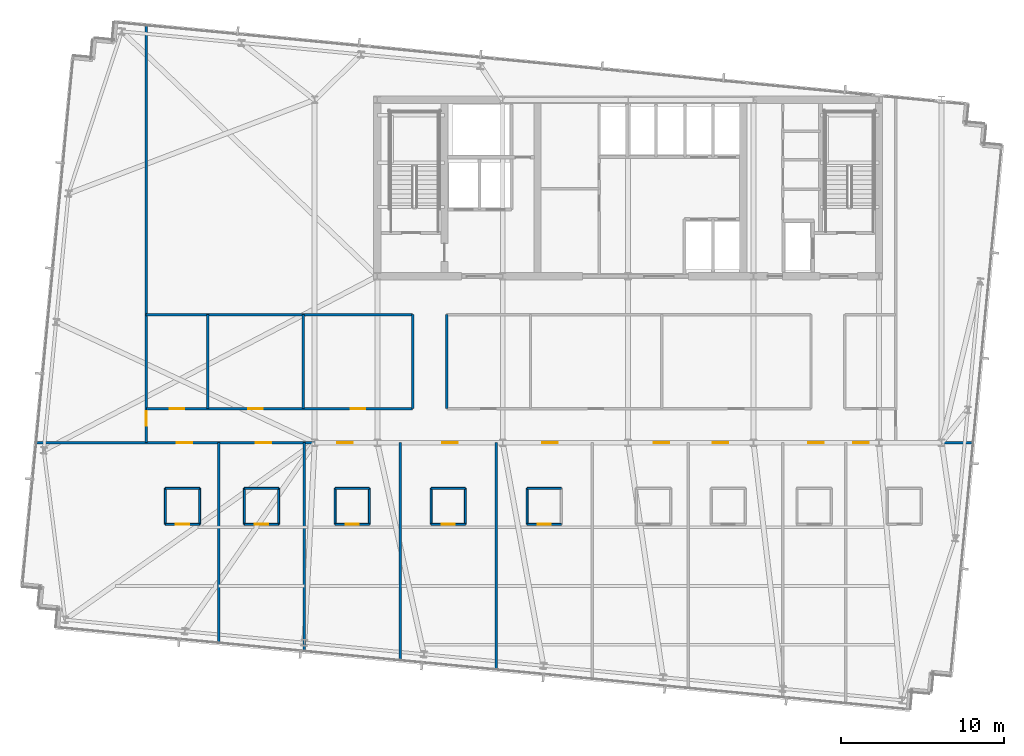
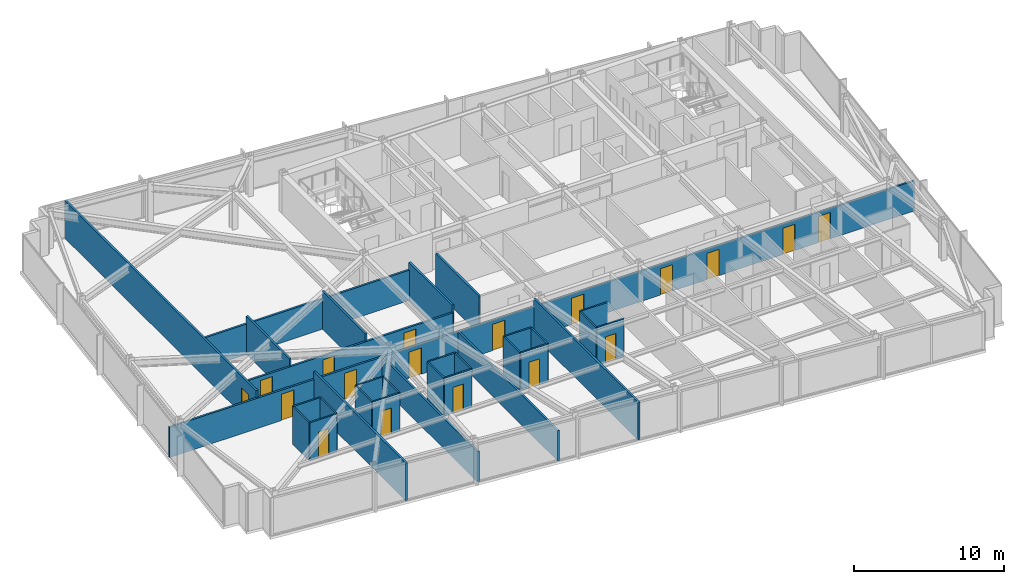
# One storey, part 29 of 37: 31 walls, 18 doors, 18 openings.
"""IFC4 building model written with IfcOpenShell, lengths in metres."""

import ifcopenshell
import ifcopenshell.guid

model = None  # the IFC model being written
_history = None  # IfcOwnerHistory: only IFC2X3 demands one
_inside = {}  # id of a spatial element -> (the spatial element, [elements in it])
_under = {}  # id of a project, library or spatial element -> (it, [spatial elements below it])
_declared = {}  # id of a project -> (the project, [libraries it declares])
_typed = {}  # id of a type object -> (the type object, [elements of that type])
_made_of = {}  # id of a material, layer set ... -> (it, [elements and type objects made of it])


def new_model(schema):
    """Start an empty IFC model of exactly this schema.

    Asked for "IFC4X3", IfcOpenShell would pick the latest addendum, in which some entities
    have other attributes; the version numbers below select the first issue.
    IFC2X3 requires an IfcOwnerHistory on every rooted entity: one is made here for all.
    """
    global model, _history
    if schema == "IFC4X3":
        model = ifcopenshell.file(schema_version=(4, 3, 0, 0))
    else:
        model = ifcopenshell.file(schema=schema)
    _inside.clear()
    _under.clear()
    _declared.clear()
    _typed.clear()
    _made_of.clear()
    _history = None
    if model.schema == "IFC2X3":
        org = make("IfcOrganization", Name="unknown")
        user = make(
            "IfcPersonAndOrganization",
            ThePerson=make("IfcPerson", FamilyName="unknown"),
            TheOrganization=org,
        )
        app = make(
            "IfcApplication",
            ApplicationDeveloper=org,
            Version="unknown",
            ApplicationFullName="unknown",
            ApplicationIdentifier="unknown",
        )
        _history = make(
            "IfcOwnerHistory",
            OwningUser=user,
            OwningApplication=app,
            ChangeAction="ADDED",
            CreationDate=0,
        )
    return model


def make(cls, **values):
    """One entity of the class cls with the attributes given. An attribute that is None is left unset."""
    return model.create_entity(
        cls, **{name: value for name, value in values.items() if value is not None}
    )


def rooted(cls, **values):
    """An entity with a GlobalId (a new one), such as an element, a storey or a relation."""
    return make(cls, GlobalId=ifcopenshell.guid.new(), OwnerHistory=_history, **values)


def si_unit(unit_type, name, prefix=None):
    """IfcSIUnit, for example si_unit("LENGTHUNIT", "METRE", prefix="MILLI")."""
    return make("IfcSIUnit", UnitType=unit_type, Prefix=prefix, Name=name)


def assignment(units):
    """IfcUnitAssignment: the units of a project."""
    return None if units is None else make("IfcUnitAssignment", Units=units)


def point(xyz):
    """IfcCartesianPoint."""
    return None if xyz is None else make("IfcCartesianPoint", Coordinates=xyz)


def direction(xyz):
    """IfcDirection."""
    return None if xyz is None else make("IfcDirection", DirectionRatios=xyz)


def frame(location, z_axis=None, x_axis=None):
    """IfcAxis2Placement3D, a coordinate frame: its origin and axes. An axis left out is left unset."""
    return make(
        "IfcAxis2Placement3D",
        Location=point(location),
        Axis=direction(z_axis),
        RefDirection=direction(x_axis),
    )


def frame_2d(location, x_axis=None):
    """IfcAxis2Placement2D, a coordinate frame in the plane: its origin and x axis."""
    return make(
        "IfcAxis2Placement2D", Location=point(location), RefDirection=direction(x_axis)
    )


def origin():
    """The frame at (0, 0, 0) with its axes left unset."""
    return frame((0.0, 0.0, 0.0))


def place(relative_to, where):
    """IfcLocalPlacement: puts the frame where relative to a parent placement (None: the world)."""
    return make(
        "IfcLocalPlacement", PlacementRelTo=relative_to, RelativePlacement=where
    )


def context(
    kind, dimensions, precision=None, world=None, true_north=None, identifier=None
):
    """IfcGeometricRepresentationContext, for example the 3D "Model" context."""
    return make(
        "IfcGeometricRepresentationContext",
        ContextIdentifier=identifier,
        ContextType=kind,
        CoordinateSpaceDimension=dimensions,
        Precision=precision,
        WorldCoordinateSystem=world,
        TrueNorth=true_north,
    )


def subcontext(parent, identifier, kind, view, scale=None):
    """IfcGeometricRepresentationSubContext, for example "Body" below "Model"."""
    return make(
        "IfcGeometricRepresentationSubContext",
        ContextIdentifier=identifier,
        ContextType=kind,
        ParentContext=parent,
        TargetScale=scale,
        TargetView=view,
    )


def project(units=None, contexts=None):
    """IfcProject with its units and contexts."""
    return rooted(
        "IfcProject",
        Name="project",
        RepresentationContexts=contexts,
        UnitsInContext=assignment(units),
    )


def spatial(cls, under=None, at=None, **own):
    """A site, building, storey or space (cls), placed at a placement, below another one or the project."""
    s = rooted(cls, ObjectPlacement=at, **own)
    if under is not None:
        _under.setdefault(under.id(), (under, []))[1].append(s)
    return s


def profile(cls, at=None, kind="AREA", **sizes):
    """A parametric profile (cls). Its sizes go by their IFC names, for example OverallWidth=200.0."""
    return make(cls, ProfileType=kind, Position=at, **sizes)


def rectangle(**sizes):
    """IfcRectangleProfileDef."""
    return profile("IfcRectangleProfileDef", **sizes)


def extrude(swept, where, along, depth):
    """IfcExtrudedAreaSolid: the profile swept, set in the frame where, extruded along a direction by depth."""
    return make(
        "IfcExtrudedAreaSolid",
        SweptArea=swept,
        Position=where,
        ExtrudedDirection=direction(along),
        Depth=depth,
    )


def shape(context_of_items, identifier, shape_type, items):
    """IfcShapeRepresentation: the items that make up one representation, for example the "Body"."""
    return make(
        "IfcShapeRepresentation",
        ContextOfItems=context_of_items,
        RepresentationIdentifier=identifier,
        RepresentationType=shape_type,
        Items=items,
    )


def material(Name=None, Category=None):
    """IfcMaterial."""
    return make("IfcMaterial", Name=Name, Category=Category)


def layer(
    of_material, thickness, ventilated=None, Name=None, Category=None, Priority=None
):
    """IfcMaterialLayer: one layer of a wall or slab, of a material (None: an air gap)."""
    return make(
        "IfcMaterialLayer",
        Material=of_material,
        LayerThickness=thickness,
        IsVentilated=ventilated,
        Name=Name,
        Category=Category,
        Priority=Priority,
    )


def layer_set(layers, Name=None):
    """IfcMaterialLayerSet."""
    return make("IfcMaterialLayerSet", MaterialLayers=layers, LayerSetName=Name)


def made_of(thing, what):
    """Note that an element or type object is made of a material, layer set ...; save() writes the relation."""
    if what is not None:
        _made_of.setdefault(what.id(), (what, []))[1].append(thing)
    return thing


def type_object(cls, material=None, **own):
    """A type object (cls), such as IfcWallType, which elements share."""
    return made_of(rooted(cls, **own), material)


def element(
    cls,
    number,
    at=None,
    inside=None,
    cuts=None,
    type_object=None,
    material=None,
    context=None,
    identifier="Body",
    shape_type=None,
    held_by="IfcProductDefinitionShape",
    body=None,
    shapes=None,
    **own,
):
    """One element of the class cls, such as IfcWall. Its Tag is "e" and its number.

    at: its placement. inside: the storey or other place that contains it. cuts: it is an
    opening in that element (IfcRelVoidsElement). A single representation is given by context,
    identifier, shape_type and body (its items); several are given by shapes. held_by: the class
    of the entity that holds the representations. save() writes the other relations.
    """
    e = rooted(cls, Tag="e%d" % number, ObjectPlacement=at, **own)
    if body is not None:
        shapes = [shape(context, identifier, shape_type, body)]
    if shapes is not None:
        e.Representation = make(held_by, Representations=shapes)
    if inside is not None:
        _inside.setdefault(inside.id(), (inside, []))[1].append(e)
    if cuts is not None:
        rooted(
            "IfcRelVoidsElement", RelatingBuildingElement=cuts, RelatedOpeningElement=e
        )
    if type_object is not None:
        _typed.setdefault(type_object.id(), (type_object, []))[1].append(e)
    return made_of(e, material)


def fill(opening, filler):
    """IfcRelFillsElement: the door or window that sits in an opening."""
    return rooted(
        "IfcRelFillsElement",
        RelatingOpeningElement=opening,
        RelatedBuildingElement=filler,
    )


def aggregate(whole, parts):
    """IfcRelAggregates: a whole, such as a stair, and the parts it consists of."""
    return rooted("IfcRelAggregates", RelatingObject=whole, RelatedObjects=parts)


def save(model, path):
    """Write the relations noted so far, then the file.

    IfcRelAggregates (storeys below a building ...), IfcRelContainedInSpatialStructure (elements
    in a storey), IfcRelDefinesByType, IfcRelAssociatesMaterial and IfcRelDeclares: one each for
    every whole, place, type object, material and project.
    """
    for whole, parts in _under.values():
        aggregate(whole, parts)
    for where, things in _inside.values():
        rooted(
            "IfcRelContainedInSpatialStructure",
            RelatedElements=things,
            RelatingStructure=where,
        )
    for kind, things in _typed.values():
        rooted("IfcRelDefinesByType", RelatedObjects=things, RelatingType=kind)
    for what, things in _made_of.values():
        rooted("IfcRelAssociatesMaterial", RelatedObjects=things, RelatingMaterial=what)
    for by, libraries in _declared.values():
        rooted("IfcRelDeclares", RelatingContext=by, RelatedDefinitions=libraries)
    model.write(path)


model = new_model("IFC4")

# Units and contexts
model_context = context("Model", 3, precision=1e-05, world=origin(), true_north=direction((0.0, 1.0)))
body_context = subcontext(model_context, "Body", "Model", "MODEL_VIEW")
ifc_project = project(units=[si_unit("LENGTHUNIT", "METRE"), si_unit("AREAUNIT", "SQUARE_METRE"), si_unit("VOLUMEUNIT", "CUBIC_METRE"), si_unit("PLANEANGLEUNIT", "RADIAN"), si_unit("MASSUNIT", "GRAM", prefix="KILO")], contexts=[model_context])

# Site, building, storey
site_placement = place(None, origin())
site = spatial("IfcSite", under=ifc_project, at=site_placement, CompositionType="ELEMENT")
building_placement = place(site_placement, origin())
building = spatial("IfcBuilding", under=site, at=building_placement, Name="Yelkora Congress Tower", CompositionType="ELEMENT")
storey_placement = place(building_placement, frame((0.0, 0.0, 158.89990234375)))
storey = spatial("IfcBuildingStorey", under=building, at=storey_placement, Name="L43", CompositionType="ELEMENT", Elevation=158.89990234375)

# Walls
ifc_material_1 = material(Name="Moisture-resistant gypsum partition", Category="gypsum")
ifc_layer_1 = layer(ifc_material_1, 0.1201171875)
ifc_layer_set_1 = layer_set([ifc_layer_1], Name="Moisture-resistant gypsum partition")
wall_type_1 = type_object("IfcWallType", Name="WALL-INT-120-NR", PredefinedType="PARTITIONING", material=ifc_layer_set_1)
wall_1_placement = place(storey_placement, frame((10.052001953125, 22.39990234375, 0.0), z_axis=(0.0, 0.0, 1.0), x_axis=(1.0, 0.0, 0.0)))
element("IfcWall", 1, at=wall_1_placement, inside=storey, type_object=wall_type_1, Name="L43 Partition Wall 28", PredefinedType="PARTITIONING", context=body_context, shape_type="SweptSolid", body=[
    extrude(rectangle(XDim=2.10009765625, YDim=0.1201171875, at=frame_2d((1.050048828125, 0.0))), origin(), (0.0, 0.0, 1.0), 3.080078125),
])
for number, where, z_axis, x_axis, name in (
    (2, (10.052001953125, 20.199951171875, 0.0), (0.0, 0.0, 1.0), (0.0, 1.0, 0.0), "L43 Partition Wall 29"),
    (3, (12.152099609375, 20.199951171875, 0.0), (0.0, 0.0, 1.0), (0.0, 1.0, 0.0), "L43 Partition Wall 30"),
):
    element("IfcWall", number, at=place(storey_placement, frame(where, z_axis=z_axis, x_axis=x_axis)), inside=storey, type_object=wall_type_1, Name=name, PredefinedType="PARTITIONING", context=body_context, shape_type="SweptSolid", body=[
        extrude(rectangle(XDim=2.199951171875, YDim=0.1201171875, at=frame_2d((1.10009765625, 0.0))), origin(), (0.0, 0.0, 1.0), 3.080078125),
    ])

# Wall, opening, door
wall_2_placement = place(storey_placement, frame((10.052001953125, 20.199951171875, 0.0), z_axis=(0.0, 0.0, 1.0), x_axis=(1.0, 0.0, 0.0)))
wall_2 = element("IfcWall", 4, at=wall_2_placement, inside=storey, type_object=wall_type_1, Name="L43 Partition Wall 31", PredefinedType="PARTITIONING", context=body_context, shape_type="SweptSolid", body=[
    extrude(rectangle(XDim=2.10009765625, YDim=0.1201171875, at=frame_2d((1.050048828125, 0.0))), origin(), (0.0, 0.0, 1.0), 3.080078125),
])
opening_1_placement = place(wall_2_placement, frame((0.64990234375, 0.0, 0.0)))
opening_1 = element("IfcOpeningElement", 5, at=opening_1_placement, cuts=wall_2, Name="Opening DR-080B", PredefinedType="OPENING", context=body_context, shape_type="SweptSolid", body=[
    extrude(rectangle(XDim=0.800048828125, YDim=2.10009765625, at=frame_2d((0.39990234375, 1.050048828125))), frame((0.0, 0.070068359375, 0.0), z_axis=(0.0, -1.0, 0.0), x_axis=(1.0, 0.0, 0.0)), (0.0, 0.0, 1.0), 0.14013671875),
])
ifc_material_2 = material(Name="Moisture-sealed en-suite timber door", Category="wood")
door_type_1 = type_object("IfcDoorType", Name="DOOR-BATH-800", OperationType="NOTDEFINED", PredefinedType="DOOR", material=ifc_material_2)
door_1_placement = place(opening_1_placement, origin())
door_1 = element("IfcDoor", 6, at=door_1_placement, inside=storey, type_object=door_type_1, Name="L43 En-suite Door 1", OperationType="SINGLE_SWING_RIGHT", OverallHeight=2.10009765625, OverallWidth=0.800048828125, PredefinedType="DOOR", context=body_context, shape_type="SweptSolid", body=[
    extrude(rectangle(XDim=0.800048828125, YDim=2.10009765625, at=frame_2d((0.39990234375, 1.050048828125))), frame((0.0, 0.02490234375, 0.0), z_axis=(0.0, -1.0, 0.0), x_axis=(1.0, 0.0, 0.0)), (0.0, 0.0, 1.0), 0.050048828125),
])
fill(opening_1, door_1)

# Walls
wall_3_placement = place(storey_placement, frame((14.89404296875, 22.39990234375, 0.0), z_axis=(0.0, 0.0, 1.0), x_axis=(1.0, 0.0, 0.0)))
element("IfcWall", 7, at=wall_3_placement, inside=storey, type_object=wall_type_1, Name="L43 Partition Wall 32", PredefinedType="PARTITIONING", context=body_context, shape_type="SweptSolid", body=[
    extrude(rectangle(XDim=2.099853515625, YDim=0.1201171875, at=frame_2d((1.0498046875, 0.0))), origin(), (0.0, 0.0, 1.0), 3.080078125),
])
for number, where, z_axis, x_axis, name in (
    (8, (14.89404296875, 20.199951171875, 0.0), (0.0, 0.0, 1.0), (0.0, 1.0, 0.0), "L43 Partition Wall 33"),
    (9, (16.993896484375, 20.199951171875, 0.0), (0.0, 0.0, 1.0), (0.0, 1.0, 0.0), "L43 Partition Wall 34"),
):
    element("IfcWall", number, at=place(storey_placement, frame(where, z_axis=z_axis, x_axis=x_axis)), inside=storey, type_object=wall_type_1, Name=name, PredefinedType="PARTITIONING", context=body_context, shape_type="SweptSolid", body=[
        extrude(rectangle(XDim=2.199951171875, YDim=0.1201171875, at=frame_2d((1.10009765625, 0.0))), origin(), (0.0, 0.0, 1.0), 3.080078125),
    ])

# Wall, opening, door
wall_4_placement = place(storey_placement, frame((14.89404296875, 20.199951171875, 0.0), z_axis=(0.0, 0.0, 1.0), x_axis=(1.0, 0.0, 0.0)))
wall_4 = element("IfcWall", 10, at=wall_4_placement, inside=storey, type_object=wall_type_1, Name="L43 Partition Wall 35", PredefinedType="PARTITIONING", context=body_context, shape_type="SweptSolid", body=[
    extrude(rectangle(XDim=2.099853515625, YDim=0.1201171875, at=frame_2d((1.0498046875, 0.0))), origin(), (0.0, 0.0, 1.0), 3.080078125),
])
opening_2_placement = place(wall_4_placement, frame((0.64990234375, 0.0, 0.0)))
opening_2 = element("IfcOpeningElement", 11, at=opening_2_placement, cuts=wall_4, Name="Opening DR-080B", PredefinedType="OPENING", context=body_context, shape_type="SweptSolid", body=[
    extrude(rectangle(XDim=0.800048828125, YDim=2.10009765625, at=frame_2d((0.39990234375, 1.050048828125))), frame((0.0, 0.070068359375, 0.0), z_axis=(0.0, -1.0, 0.0), x_axis=(1.0, 0.0, 0.0)), (0.0, 0.0, 1.0), 0.14013671875),
])
door_2_placement = place(opening_2_placement, origin())
door_2 = element("IfcDoor", 12, at=door_2_placement, inside=storey, type_object=door_type_1, Name="L43 En-suite Door 2", OperationType="SINGLE_SWING_LEFT", OverallHeight=2.10009765625, OverallWidth=0.800048828125, PredefinedType="DOOR", context=body_context, shape_type="SweptSolid", body=[
    extrude(rectangle(XDim=0.800048828125, YDim=2.10009765625, at=frame_2d((0.39990234375, 1.050048828125))), frame((0.0, 0.02490234375, 0.0), z_axis=(0.0, -1.0, 0.0), x_axis=(1.0, 0.0, 0.0)), (0.0, 0.0, 1.0), 0.050048828125),
])
fill(opening_2, door_2)

# Walls
wall_5_placement = place(storey_placement, frame((20.451904296875, 22.39990234375, 0.0), z_axis=(0.0, 0.0, 1.0), x_axis=(1.0, 0.0, 0.0)))
element("IfcWall", 13, at=wall_5_placement, inside=storey, type_object=wall_type_1, Name="L43 Partition Wall 37", PredefinedType="PARTITIONING", context=body_context, shape_type="SweptSolid", body=[
    extrude(rectangle(XDim=2.10009765625, YDim=0.1201171875, at=frame_2d((1.050048828125, 0.0))), origin(), (0.0, 0.0, 1.0), 3.080078125),
])
for number, where, z_axis, x_axis, name in (
    (14, (20.451904296875, 20.199951171875, 0.0), (0.0, 0.0, 1.0), (0.0, 1.0, 0.0), "L43 Partition Wall 38"),
    (15, (22.552001953125, 20.199951171875, 0.0), (0.0, 0.0, 1.0), (0.0, 1.0, 0.0), "L43 Partition Wall 39"),
):
    element("IfcWall", number, at=place(storey_placement, frame(where, z_axis=z_axis, x_axis=x_axis)), inside=storey, type_object=wall_type_1, Name=name, PredefinedType="PARTITIONING", context=body_context, shape_type="SweptSolid", body=[
        extrude(rectangle(XDim=2.199951171875, YDim=0.1201171875, at=frame_2d((1.10009765625, 0.0))), origin(), (0.0, 0.0, 1.0), 3.080078125),
    ])

# Wall, opening, door
wall_6_placement = place(storey_placement, frame((20.451904296875, 20.199951171875, 0.0), z_axis=(0.0, 0.0, 1.0), x_axis=(1.0, 0.0, 0.0)))
wall_6 = element("IfcWall", 16, at=wall_6_placement, inside=storey, type_object=wall_type_1, Name="L43 Partition Wall 40", PredefinedType="PARTITIONING", context=body_context, shape_type="SweptSolid", body=[
    extrude(rectangle(XDim=2.10009765625, YDim=0.1201171875, at=frame_2d((1.050048828125, 0.0))), origin(), (0.0, 0.0, 1.0), 3.080078125),
])
opening_3_placement = place(wall_6_placement, frame((0.64990234375, 0.0, 0.0)))
opening_3 = element("IfcOpeningElement", 17, at=opening_3_placement, cuts=wall_6, Name="Opening DR-080B", PredefinedType="OPENING", context=body_context, shape_type="SweptSolid", body=[
    extrude(rectangle(XDim=0.800048828125, YDim=2.10009765625, at=frame_2d((0.39990234375, 1.050048828125))), frame((0.0, 0.070068359375, 0.0), z_axis=(0.0, -1.0, 0.0), x_axis=(1.0, 0.0, 0.0)), (0.0, 0.0, 1.0), 0.14013671875),
])
door_3_placement = place(opening_3_placement, origin())
door_3 = element("IfcDoor", 18, at=door_3_placement, inside=storey, type_object=door_type_1, Name="L43 En-suite Door 3", OperationType="SINGLE_SWING_RIGHT", OverallHeight=2.10009765625, OverallWidth=0.800048828125, PredefinedType="DOOR", context=body_context, shape_type="SweptSolid", body=[
    extrude(rectangle(XDim=0.800048828125, YDim=2.10009765625, at=frame_2d((0.39990234375, 1.050048828125))), frame((0.0, 0.02490234375, 0.0), z_axis=(0.0, -1.0, 0.0), x_axis=(1.0, 0.0, 0.0)), (0.0, 0.0, 1.0), 0.050048828125),
])
fill(opening_3, door_3)

# Walls
wall_7_placement = place(storey_placement, frame((26.326904296875, 22.39990234375, 0.0), z_axis=(0.0, 0.0, 1.0), x_axis=(1.0, 0.0, 0.0)))
element("IfcWall", 19, at=wall_7_placement, inside=storey, type_object=wall_type_1, Name="L43 Partition Wall 42", PredefinedType="PARTITIONING", context=body_context, shape_type="SweptSolid", body=[
    extrude(rectangle(XDim=2.10009765625, YDim=0.1201171875, at=frame_2d((1.050048828125, 0.0))), origin(), (0.0, 0.0, 1.0), 3.080078125),
])
for number, where, z_axis, x_axis, name in (
    (20, (26.326904296875, 20.199951171875, 0.0), (0.0, 0.0, 1.0), (0.0, 1.0, 0.0), "L43 Partition Wall 43"),
    (21, (28.427001953125, 20.199951171875, 0.0), (0.0, 0.0, 1.0), (0.0, 1.0, 0.0), "L43 Partition Wall 44"),
):
    element("IfcWall", number, at=place(storey_placement, frame(where, z_axis=z_axis, x_axis=x_axis)), inside=storey, type_object=wall_type_1, Name=name, PredefinedType="PARTITIONING", context=body_context, shape_type="SweptSolid", body=[
        extrude(rectangle(XDim=2.199951171875, YDim=0.1201171875, at=frame_2d((1.10009765625, 0.0))), origin(), (0.0, 0.0, 1.0), 3.080078125),
    ])

# Wall, opening, door
wall_8_placement = place(storey_placement, frame((26.326904296875, 20.199951171875, 0.0), z_axis=(0.0, 0.0, 1.0), x_axis=(1.0, 0.0, 0.0)))
wall_8 = element("IfcWall", 22, at=wall_8_placement, inside=storey, type_object=wall_type_1, Name="L43 Partition Wall 45", PredefinedType="PARTITIONING", context=body_context, shape_type="SweptSolid", body=[
    extrude(rectangle(XDim=2.10009765625, YDim=0.1201171875, at=frame_2d((1.050048828125, 0.0))), origin(), (0.0, 0.0, 1.0), 3.080078125),
])
opening_4_placement = place(wall_8_placement, frame((0.64990234375, 0.0, 0.0)))
opening_4 = element("IfcOpeningElement", 23, at=opening_4_placement, cuts=wall_8, Name="Opening DR-080B", PredefinedType="OPENING", context=body_context, shape_type="SweptSolid", body=[
    extrude(rectangle(XDim=0.800048828125, YDim=2.10009765625, at=frame_2d((0.39990234375, 1.050048828125))), frame((0.0, 0.070068359375, 0.0), z_axis=(0.0, -1.0, 0.0), x_axis=(1.0, 0.0, 0.0)), (0.0, 0.0, 1.0), 0.14013671875),
])
door_4_placement = place(opening_4_placement, origin())
door_4 = element("IfcDoor", 24, at=door_4_placement, inside=storey, type_object=door_type_1, Name="L43 En-suite Door 4", OperationType="SINGLE_SWING_LEFT", OverallHeight=2.10009765625, OverallWidth=0.800048828125, PredefinedType="DOOR", context=body_context, shape_type="SweptSolid", body=[
    extrude(rectangle(XDim=0.800048828125, YDim=2.10009765625, at=frame_2d((0.39990234375, 1.050048828125))), frame((0.0, 0.02490234375, 0.0), z_axis=(0.0, -1.0, 0.0), x_axis=(1.0, 0.0, 0.0)), (0.0, 0.0, 1.0), 0.050048828125),
])
fill(opening_4, door_4)

# Walls
wall_9_placement = place(storey_placement, frame((32.2080078125, 22.39990234375, 0.0), z_axis=(0.0, 0.0, 1.0), x_axis=(1.0, 0.0, 0.0)))
element("IfcWall", 25, at=wall_9_placement, inside=storey, type_object=wall_type_1, Name="L43 Partition Wall 47", PredefinedType="PARTITIONING", context=body_context, shape_type="SweptSolid", body=[
    extrude(rectangle(XDim=2.10009765625, YDim=0.1201171875, at=frame_2d((1.050048828125, 0.0))), origin(), (0.0, 0.0, 1.0), 3.080078125),
])
wall_10_placement = place(storey_placement, frame((32.2080078125, 20.199951171875, 0.0), z_axis=(0.0, 0.0, 1.0), x_axis=(0.0, 1.0, 0.0)))
element("IfcWall", 26, at=wall_10_placement, inside=storey, type_object=wall_type_1, Name="L43 Partition Wall 48", PredefinedType="PARTITIONING", context=body_context, shape_type="SweptSolid", body=[
    extrude(rectangle(XDim=2.199951171875, YDim=0.1201171875, at=frame_2d((1.10009765625, 0.0))), origin(), (0.0, 0.0, 1.0), 3.080078125),
])

# Wall, opening, door
wall_11_placement = place(storey_placement, frame((32.2080078125, 20.199951171875, 0.0), z_axis=(0.0, 0.0, 1.0), x_axis=(1.0, 0.0, 0.0)))
wall_11 = element("IfcWall", 27, at=wall_11_placement, inside=storey, type_object=wall_type_1, Name="L43 Partition Wall 50", PredefinedType="PARTITIONING", context=body_context, shape_type="SweptSolid", body=[
    extrude(rectangle(XDim=2.10009765625, YDim=0.1201171875, at=frame_2d((1.050048828125, 0.0))), origin(), (0.0, 0.0, 1.0), 3.080078125),
])
opening_5_placement = place(wall_11_placement, frame((0.64990234375, 0.0, 0.0)))
opening_5 = element("IfcOpeningElement", 28, at=opening_5_placement, cuts=wall_11, Name="Opening DR-080B", PredefinedType="OPENING", context=body_context, shape_type="SweptSolid", body=[
    extrude(rectangle(XDim=0.800048828125, YDim=2.10009765625, at=frame_2d((0.39990234375, 1.050048828125))), frame((0.0, 0.070068359375, 0.0), z_axis=(0.0, -1.0, 0.0), x_axis=(1.0, 0.0, 0.0)), (0.0, 0.0, 1.0), 0.14013671875),
])
door_5_placement = place(opening_5_placement, origin())
door_5 = element("IfcDoor", 29, at=door_5_placement, inside=storey, type_object=door_type_1, Name="L43 En-suite Door 5", OperationType="SINGLE_SWING_RIGHT", OverallHeight=2.10009765625, OverallWidth=0.800048828125, PredefinedType="DOOR", context=body_context, shape_type="SweptSolid", body=[
    extrude(rectangle(XDim=0.800048828125, YDim=2.10009765625, at=frame_2d((0.39990234375, 1.050048828125))), frame((0.0, 0.02490234375, 0.0), z_axis=(0.0, -1.0, 0.0), x_axis=(1.0, 0.0, 0.0)), (0.0, 0.0, 1.0), 0.050048828125),
])
fill(opening_5, door_5)

ifc_material_3 = material(Name="Acoustic metal-stud gypsum partition", Category="gypsum")
ifc_layer_2 = layer(ifc_material_3, 0.14990234375)
ifc_layer_set_2 = layer_set([ifc_layer_2], Name="Acoustic metal-stud gypsum partition")
wall_type_2 = type_object("IfcWallType", Name="WALL-INT-150-NR", PredefinedType="PARTITIONING", material=ifc_layer_set_2)
wall_12_placement = place(storey_placement, frame((8.8798828125, 25.199951171875, 0.0), z_axis=(0.0, 0.0, 1.0), x_axis=(0.0, 1.0, 0.0)))
wall_12 = element("IfcWall", 30, at=wall_12_placement, inside=storey, type_object=wall_type_2, Name="L43 Partition Wall 73", PredefinedType="PARTITIONING", context=body_context, shape_type="SweptSolid", body=[
    extrude(rectangle(XDim=25.61962890625, YDim=0.14990234375, at=frame_2d((12.809814453125, 0.0))), origin(), (0.0, 0.0, 1.0), 3.080078125),
])
opening_6_placement = place(wall_12_placement, frame((1.030029296875, 0.0, 0.0)))
opening_6 = element("IfcOpeningElement", 31, at=opening_6_placement, cuts=wall_12, Name="Opening DR-090N", PredefinedType="OPENING", context=body_context, shape_type="SweptSolid", body=[
    extrude(rectangle(XDim=0.89990234375, YDim=2.14990234375, at=frame_2d((0.449951171875, 1.074951171875))), frame((0.0, 0.0849609375, 0.0), z_axis=(0.0, -1.0, 0.0), x_axis=(1.0, 0.0, 0.0)), (0.0, 0.0, 1.0), 0.169921875),
])
ifc_material_4 = material(Name="Moisture-resistant laminate door leaf", Category="wood")
door_type_2 = type_object("IfcDoorType", Name="DOOR-INT-900", OperationType="NOTDEFINED", PredefinedType="DOOR", material=ifc_material_4)
door_6_placement = place(opening_6_placement, origin())
door_6 = element("IfcDoor", 32, at=door_6_placement, inside=storey, type_object=door_type_2, Name="L43 W Wing Door", OperationType="SINGLE_SWING_RIGHT", OverallHeight=2.14990234375, OverallWidth=0.89990234375, PredefinedType="DOOR", context=body_context, shape_type="SweptSolid", body=[
    extrude(rectangle(XDim=0.89990234375, YDim=2.14990234375, at=frame_2d((0.449951171875, 1.074951171875))), frame((0.0, 0.02490234375, 0.0), z_axis=(0.0, -1.0, 0.0), x_axis=(1.0, 0.0, 0.0)), (0.0, 0.0, 1.0), 0.050048828125),
])
fill(opening_6, door_6)

# Walls
for number, where, z_axis, x_axis, name in (
    (33, (25.199951171875, 27.280029296875, 0.0), (0.0, 0.0, 1.0), (0.0, 1.0, 0.0), "L43 Partition Wall 75"),
    (34, (27.280029296875, 27.280029296875, 0.0), (0.0, 0.0, 1.0), (0.0, 1.0, 0.0), "L43 Partition Wall 76"),
):
    element("IfcWall", number, at=place(storey_placement, frame(where, z_axis=z_axis, x_axis=x_axis)), inside=storey, type_object=wall_type_2, Name=name, PredefinedType="PARTITIONING", context=body_context, shape_type="SweptSolid", body=[
        extrude(rectangle(XDim=5.77001953125, YDim=0.14990234375, at=frame_2d((2.885009765625, 0.0))), origin(), (0.0, 0.0, 1.0), 3.080078125),
    ])
wall_13_placement = place(storey_placement, frame((8.8798828125, 33.050048828125, 0.0), z_axis=(0.0, 0.0, 1.0), x_axis=(1.0, 0.0, 0.0)))
element("IfcWall", 35, at=wall_13_placement, inside=storey, type_object=wall_type_2, Name="L43 Partition Wall 79", PredefinedType="PARTITIONING", context=body_context, shape_type="SweptSolid", body=[
    extrude(rectangle(XDim=16.320068359375, YDim=0.14990234375, at=frame_2d((8.16015625, 0.0))), origin(), (0.0, 0.0, 1.0), 2.47509765625),
])
for number, where, z_axis, x_axis, name in (
    (36, (12.64697265625, 27.280029296875, 0.0), (0.0, 0.0, 1.0), (0.0, 1.0, 0.0), "L43 Partition Wall 82"),
    (37, (18.510986328125, 27.280029296875, 0.0), (0.0, 0.0, 1.0), (0.0, 1.0, 0.0), "L43 Partition Wall 83"),
):
    element("IfcWall", number, at=place(storey_placement, frame(where, z_axis=z_axis, x_axis=x_axis)), inside=storey, type_object=wall_type_2, Name=name, PredefinedType="PARTITIONING", context=body_context, shape_type="SweptSolid", body=[
        extrude(rectangle(XDim=5.77001953125, YDim=0.14990234375, at=frame_2d((2.885009765625, 0.0))), origin(), (0.0, 0.0, 1.0), 3.080078125),
    ])

# Wall, openings, doors
wall_14_placement = place(storey_placement, frame((8.89990234375, 27.280029296875, 0.0), z_axis=(0.0, 0.0, 1.0), x_axis=(1.0, 0.0, 0.0)))
wall_14 = element("IfcWall", 38, at=wall_14_placement, inside=storey, type_object=wall_type_2, Name="L43 Partition Wall 84", PredefinedType="PARTITIONING", context=body_context, shape_type="SweptSolid", body=[
    extrude(rectangle(XDim=16.2900390625, YDim=0.14990234375, at=frame_2d((8.14501953125, 0.0))), origin(), (0.0, 0.0, 1.0), 2.47509765625),
])
opening_7_placement = place(wall_14_placement, frame((1.423583984375, 0.0, 0.0)))
opening_7 = element("IfcOpeningElement", 39, at=opening_7_placement, cuts=wall_14, Name="Opening DR-090N", PredefinedType="OPENING", context=body_context, shape_type="SweptSolid", body=[
    extrude(rectangle(XDim=0.89990234375, YDim=2.14990234375, at=frame_2d((0.449951171875, 1.074951171875))), frame((0.0, 0.0849609375, 0.0), z_axis=(0.0, -1.0, 0.0), x_axis=(1.0, 0.0, 0.0)), (0.0, 0.0, 1.0), 0.169921875),
])
opening_8_placement = place(wall_14_placement, frame((6.22900390625, 0.0, 0.0)))
opening_8 = element("IfcOpeningElement", 40, at=opening_8_placement, cuts=wall_14, Name="Opening DR-090N", PredefinedType="OPENING", context=body_context, shape_type="SweptSolid", body=[
    extrude(rectangle(XDim=0.89990234375, YDim=2.14990234375, at=frame_2d((0.449951171875, 1.074951171875))), frame((0.0, 0.0849609375, 0.0), z_axis=(0.0, -1.0, 0.0), x_axis=(1.0, 0.0, 0.0)), (0.0, 0.0, 1.0), 0.169921875),
])
opening_9_placement = place(wall_14_placement, frame((12.50048828125, 0.0, 0.0)))
opening_9 = element("IfcOpeningElement", 41, at=opening_9_placement, cuts=wall_14, Name="Opening DR-090N", PredefinedType="OPENING", context=body_context, shape_type="SweptSolid", body=[
    extrude(rectangle(XDim=0.89990234375, YDim=2.14990234375, at=frame_2d((0.449951171875, 1.074951171875))), frame((0.0, 0.0849609375, 0.0), z_axis=(0.0, -1.0, 0.0), x_axis=(1.0, 0.0, 0.0)), (0.0, 0.0, 1.0), 0.169921875),
])
door_7_placement = place(opening_7_placement, origin())
door_7 = element("IfcDoor", 42, at=door_7_placement, inside=storey, type_object=door_type_2, Name="L43 Housekeeping & Linen Room Door", OperationType="SINGLE_SWING_RIGHT", OverallHeight=2.14990234375, OverallWidth=0.89990234375, PredefinedType="DOOR", context=body_context, shape_type="SweptSolid", body=[
    extrude(rectangle(XDim=0.89990234375, YDim=2.14990234375, at=frame_2d((0.449951171875, 1.074951171875))), frame((0.0, 0.02490234375, 0.0), z_axis=(0.0, -1.0, 0.0), x_axis=(1.0, 0.0, 0.0)), (0.0, 0.0, 1.0), 0.050048828125),
])
fill(opening_7, door_7)
door_8_placement = place(opening_8_placement, origin())
door_8 = element("IfcDoor", 43, at=door_8_placement, inside=storey, type_object=door_type_2, Name="L43 Huddle Seminar Room Door", OperationType="SINGLE_SWING_LEFT", OverallHeight=2.14990234375, OverallWidth=0.89990234375, PredefinedType="DOOR", context=body_context, shape_type="SweptSolid", body=[
    extrude(rectangle(XDim=0.89990234375, YDim=2.14990234375, at=frame_2d((0.449951171875, 1.074951171875))), frame((0.0, 0.02490234375, 0.0), z_axis=(0.0, -1.0, 0.0), x_axis=(1.0, 0.0, 0.0)), (0.0, 0.0, 1.0), 0.050048828125),
])
fill(opening_8, door_8)
door_9_placement = place(opening_9_placement, origin())
door_9 = element("IfcDoor", 44, at=door_9_placement, inside=storey, type_object=door_type_2, Name="L43 Breakout Training Room Door", OperationType="SINGLE_SWING_RIGHT", OverallHeight=2.14990234375, OverallWidth=0.89990234375, PredefinedType="DOOR", context=body_context, shape_type="SweptSolid", body=[
    extrude(rectangle(XDim=0.89990234375, YDim=2.14990234375, at=frame_2d((0.449951171875, 1.074951171875))), frame((0.0, 0.02490234375, 0.0), z_axis=(0.0, -1.0, 0.0), x_axis=(1.0, 0.0, 0.0)), (0.0, 0.0, 1.0), 0.050048828125),
])
fill(opening_9, door_9)

# Walls
ifc_material_5 = material(Name="Twin-stud fire-rated gypsum partition", Category="gypsum")
ifc_layer_3 = layer(ifc_material_5, 0.14990234375)
ifc_layer_set_3 = layer_set([ifc_layer_3], Name="Twin-stud fire-rated gypsum partition")
wall_type_3 = type_object("IfcWallType", Name="WALL-INT-150-R60", PredefinedType="PARTITIONING", material=ifc_layer_set_3)
wall_15_placement = place(storey_placement, frame((13.322998046875, 12.879150390625, 0.0), z_axis=(0.0, 0.0, 1.0), x_axis=(0.0, 1.0, 0.0)))
element("IfcWall", 45, at=wall_15_placement, inside=storey, type_object=wall_type_3, Name="L43 Partition Wall 36", PredefinedType="PARTITIONING", context=body_context, shape_type="SweptSolid", body=[
    extrude(rectangle(XDim=12.3408203125, YDim=0.14990234375, at=frame_2d((6.17041015625, 0.0))), origin(), (0.0, 0.0, 1.0), 3.080078125),
])
wall_16_placement = place(storey_placement, frame((18.56591796875, 12.374267578125, 0.0), z_axis=(0.0, 0.0, 1.0), x_axis=(0.0, 1.0, 0.0)))
element("IfcWall", 46, at=wall_16_placement, inside=storey, type_object=wall_type_3, Name="L43 Partition Wall 41", PredefinedType="PARTITIONING", context=body_context, shape_type="SweptSolid", body=[
    extrude(rectangle(XDim=12.845703125, YDim=0.14990234375, at=frame_2d((6.4228515625, 0.0))), origin(), (0.0, 0.0, 1.0), 2.47509765625),
])
wall_17_placement = place(storey_placement, frame((24.43701171875, 11.80908203125, 0.0), z_axis=(0.0, 0.0, 1.0), x_axis=(0.0, 1.0, 0.0)))
element("IfcWall", 47, at=wall_17_placement, inside=storey, type_object=wall_type_3, Name="L43 Partition Wall 46", PredefinedType="PARTITIONING", context=body_context, shape_type="SweptSolid", body=[
    extrude(rectangle(XDim=13.410888671875, YDim=0.14990234375, at=frame_2d((6.70556640625, 0.0))), origin(), (0.0, 0.0, 1.0), 2.47509765625),
])
wall_18_placement = place(storey_placement, frame((30.31689453125, 11.242919921875, 0.0), z_axis=(0.0, 0.0, 1.0), x_axis=(0.0, 1.0, 0.0)))
element("IfcWall", 48, at=wall_18_placement, inside=storey, type_object=wall_type_3, Name="L43 Partition Wall 51", PredefinedType="PARTITIONING", context=body_context, shape_type="SweptSolid", body=[
    extrude(rectangle(XDim=13.97705078125, YDim=0.14990234375, at=frame_2d((6.988525390625, 0.0))), origin(), (0.0, 0.0, 1.0), 3.080078125),
])

# Wall, openings, doors
wall_19_placement = place(storey_placement, frame((2.080078125, 25.199951171875, 0.0), z_axis=(0.0, 0.0, 1.0), x_axis=(1.0, 0.0, 0.0)))
wall_19 = element("IfcWall", 49, at=wall_19_placement, inside=storey, type_object=wall_type_3, Name="L43 South Spine Wall", PredefinedType="PARTITIONING", context=body_context, shape_type="SweptSolid", body=[
    extrude(rectangle(XDim=57.504638671875, YDim=0.14990234375, at=frame_2d((28.75244140625, 0.0))), origin(), (0.0, 0.0, 1.0), 2.47509765625),
])
opening_10_placement = place(wall_19_placement, frame((8.66162109375, 0.0, 0.0)))
opening_10 = element("IfcOpeningElement", 50, at=opening_10_placement, cuts=wall_19, Name="Opening DR-095F6", PredefinedType="OPENING", context=body_context, shape_type="SweptSolid", body=[
    extrude(rectangle(XDim=0.949951171875, YDim=2.14990234375, at=frame_2d((0.47509765625, 1.074951171875))), frame((0.0, 0.0849609375, 0.0), z_axis=(0.0, -1.0, 0.0), x_axis=(1.0, 0.0, 0.0)), (0.0, 0.0, 1.0), 0.169921875),
])
opening_11_placement = place(wall_19_placement, frame((13.50439453125, 0.0, 0.0)))
opening_11 = element("IfcOpeningElement", 51, at=opening_11_placement, cuts=wall_19, Name="Opening DR-095F6", PredefinedType="OPENING", context=body_context, shape_type="SweptSolid", body=[
    extrude(rectangle(XDim=0.949951171875, YDim=2.14990234375, at=frame_2d((0.47509765625, 1.074951171875))), frame((0.0, 0.0849609375, 0.0), z_axis=(0.0, -1.0, 0.0), x_axis=(1.0, 0.0, 0.0)), (0.0, 0.0, 1.0), 0.169921875),
])
opening_12_placement = place(wall_19_placement, frame((18.51171875, 0.0, 0.0)))
opening_12 = element("IfcOpeningElement", 52, at=opening_12_placement, cuts=wall_19, Name="Opening DR-095F6", PredefinedType="OPENING", context=body_context, shape_type="SweptSolid", body=[
    extrude(rectangle(XDim=0.949951171875, YDim=2.14990234375, at=frame_2d((0.47509765625, 1.074951171875))), frame((0.0, 0.0849609375, 0.0), z_axis=(0.0, -1.0, 0.0), x_axis=(1.0, 0.0, 0.0)), (0.0, 0.0, 1.0), 0.169921875),
])
opening_13_placement = place(wall_19_placement, frame((24.93701171875, 0.0, 0.0)))
opening_13 = element("IfcOpeningElement", 53, at=opening_13_placement, cuts=wall_19, Name="Opening DR-095F6", PredefinedType="OPENING", context=body_context, shape_type="SweptSolid", body=[
    extrude(rectangle(XDim=0.949951171875, YDim=2.14990234375, at=frame_2d((0.47509765625, 1.074951171875))), frame((0.0, 0.0849609375, 0.0), z_axis=(0.0, -1.0, 0.0), x_axis=(1.0, 0.0, 0.0)), (0.0, 0.0, 1.0), 0.169921875),
])
opening_14_placement = place(wall_19_placement, frame((31.0439453125, 0.0, 0.0)))
opening_14 = element("IfcOpeningElement", 54, at=opening_14_placement, cuts=wall_19, Name="Opening DR-095F6", PredefinedType="OPENING", context=body_context, shape_type="SweptSolid", body=[
    extrude(rectangle(XDim=0.949951171875, YDim=2.14990234375, at=frame_2d((0.47509765625, 1.074951171875))), frame((0.0, 0.0849609375, 0.0), z_axis=(0.0, -1.0, 0.0), x_axis=(1.0, 0.0, 0.0)), (0.0, 0.0, 1.0), 0.169921875),
])
opening_15_placement = place(wall_19_placement, frame((37.89697265625, 0.0, 0.0)))
opening_15 = element("IfcOpeningElement", 55, at=opening_15_placement, cuts=wall_19, Name="Opening DR-095F6", PredefinedType="OPENING", context=body_context, shape_type="SweptSolid", body=[
    extrude(rectangle(XDim=0.949951171875, YDim=2.14990234375, at=frame_2d((0.47509765625, 1.074951171875))), frame((0.0, 0.0849609375, 0.0), z_axis=(0.0, -1.0, 0.0), x_axis=(1.0, 0.0, 0.0)), (0.0, 0.0, 1.0), 0.169921875),
])
opening_16_placement = place(wall_19_placement, frame((41.489013671875, 0.0, 0.0)))
opening_16 = element("IfcOpeningElement", 56, at=opening_16_placement, cuts=wall_19, Name="Opening DR-095F6", PredefinedType="OPENING", context=body_context, shape_type="SweptSolid", body=[
    extrude(rectangle(XDim=0.949951171875, YDim=2.14990234375, at=frame_2d((0.47509765625, 1.074951171875))), frame((0.0, 0.0849609375, 0.0), z_axis=(0.0, -1.0, 0.0), x_axis=(1.0, 0.0, 0.0)), (0.0, 0.0, 1.0), 0.169921875),
])
opening_17_placement = place(wall_19_placement, frame((47.3505859375, 0.0, 0.0)))
opening_17 = element("IfcOpeningElement", 57, at=opening_17_placement, cuts=wall_19, Name="Opening DR-095F6", PredefinedType="OPENING", context=body_context, shape_type="SweptSolid", body=[
    extrude(rectangle(XDim=0.949951171875, YDim=2.14990234375, at=frame_2d((0.47509765625, 1.074951171875))), frame((0.0, 0.0849609375, 0.0), z_axis=(0.0, -1.0, 0.0), x_axis=(1.0, 0.0, 0.0)), (0.0, 0.0, 1.0), 0.169921875),
])
opening_18_placement = place(wall_19_placement, frame((50.092041015625, 0.0, 0.0)))
opening_18 = element("IfcOpeningElement", 58, at=opening_18_placement, cuts=wall_19, Name="Opening DR-095F6", PredefinedType="OPENING", context=body_context, shape_type="SweptSolid", body=[
    extrude(rectangle(XDim=0.949951171875, YDim=2.14990234375, at=frame_2d((0.47509765625, 1.074951171875))), frame((0.0, 0.0849609375, 0.0), z_axis=(0.0, -1.0, 0.0), x_axis=(1.0, 0.0, 0.0)), (0.0, 0.0, 1.0), 0.169921875),
])
ifc_material_6 = material(Name="Acoustic oak-veneer fire door leaf", Category="wood")
door_type_3 = type_object("IfcDoorType", Name="DOOR-FD60-950", OperationType="NOTDEFINED", PredefinedType="DOOR", material=ifc_material_6)
door_10_placement = place(opening_10_placement, origin())
door_10 = element("IfcDoor", 59, at=door_10_placement, inside=storey, type_object=door_type_3, Name="L43 Diplomatic Suite 01 Entry Door", OperationType="SINGLE_SWING_LEFT", OverallHeight=2.14990234375, OverallWidth=0.949951171875, PredefinedType="DOOR", context=body_context, shape_type="SweptSolid", body=[
    extrude(rectangle(XDim=0.949951171875, YDim=2.14990234375, at=frame_2d((0.47509765625, 1.074951171875))), frame((0.0, 0.02490234375, 0.0), z_axis=(0.0, -1.0, 0.0), x_axis=(1.0, 0.0, 0.0)), (0.0, 0.0, 1.0), 0.050048828125),
])
fill(opening_10, door_10)
door_11_placement = place(opening_11_placement, origin())
door_11 = element("IfcDoor", 60, at=door_11_placement, inside=storey, type_object=door_type_3, Name="L43 Diplomatic Suite 02 Entry Door", OperationType="SINGLE_SWING_RIGHT", OverallHeight=2.14990234375, OverallWidth=0.949951171875, PredefinedType="DOOR", context=body_context, shape_type="SweptSolid", body=[
    extrude(rectangle(XDim=0.949951171875, YDim=2.14990234375, at=frame_2d((0.47509765625, 1.074951171875))), frame((0.0, 0.02490234375, 0.0), z_axis=(0.0, -1.0, 0.0), x_axis=(1.0, 0.0, 0.0)), (0.0, 0.0, 1.0), 0.050048828125),
])
fill(opening_11, door_11)
door_12_placement = place(opening_12_placement, origin())
door_12 = element("IfcDoor", 61, at=door_12_placement, inside=storey, type_object=door_type_3, Name="L43 Diplomatic Suite 03 Entry Door", OperationType="SINGLE_SWING_LEFT", OverallHeight=2.14990234375, OverallWidth=0.949951171875, PredefinedType="DOOR", context=body_context, shape_type="SweptSolid", body=[
    extrude(rectangle(XDim=0.949951171875, YDim=2.14990234375, at=frame_2d((0.47509765625, 1.074951171875))), frame((0.0, 0.02490234375, 0.0), z_axis=(0.0, -1.0, 0.0), x_axis=(1.0, 0.0, 0.0)), (0.0, 0.0, 1.0), 0.050048828125),
])
fill(opening_12, door_12)
door_13_placement = place(opening_13_placement, origin())
door_13 = element("IfcDoor", 62, at=door_13_placement, inside=storey, type_object=door_type_3, Name="L43 Diplomatic Suite 04 Entry Door", OperationType="SINGLE_SWING_RIGHT", OverallHeight=2.14990234375, OverallWidth=0.949951171875, PredefinedType="DOOR", context=body_context, shape_type="SweptSolid", body=[
    extrude(rectangle(XDim=0.949951171875, YDim=2.14990234375, at=frame_2d((0.47509765625, 1.074951171875))), frame((0.0, 0.02490234375, 0.0), z_axis=(0.0, -1.0, 0.0), x_axis=(1.0, 0.0, 0.0)), (0.0, 0.0, 1.0), 0.050048828125),
])
fill(opening_13, door_13)
door_14_placement = place(opening_14_placement, origin())
door_14 = element("IfcDoor", 63, at=door_14_placement, inside=storey, type_object=door_type_3, Name="L43 Diplomatic Suite 05 Entry Door", OperationType="SINGLE_SWING_LEFT", OverallHeight=2.14990234375, OverallWidth=0.949951171875, PredefinedType="DOOR", context=body_context, shape_type="SweptSolid", body=[
    extrude(rectangle(XDim=0.949951171875, YDim=2.14990234375, at=frame_2d((0.47509765625, 1.074951171875))), frame((0.0, 0.02490234375, 0.0), z_axis=(0.0, -1.0, 0.0), x_axis=(1.0, 0.0, 0.0)), (0.0, 0.0, 1.0), 0.050048828125),
])
fill(opening_14, door_14)
door_15_placement = place(opening_15_placement, origin())
door_15 = element("IfcDoor", 64, at=door_15_placement, inside=storey, type_object=door_type_3, Name="L43 Diplomatic Suite 06 Entry Door", OperationType="SINGLE_SWING_RIGHT", OverallHeight=2.14990234375, OverallWidth=0.949951171875, PredefinedType="DOOR", context=body_context, shape_type="SweptSolid", body=[
    extrude(rectangle(XDim=0.949951171875, YDim=2.14990234375, at=frame_2d((0.47509765625, 1.074951171875))), frame((0.0, 0.02490234375, 0.0), z_axis=(0.0, -1.0, 0.0), x_axis=(1.0, 0.0, 0.0)), (0.0, 0.0, 1.0), 0.050048828125),
])
fill(opening_15, door_15)
door_16_placement = place(opening_16_placement, origin())
door_16 = element("IfcDoor", 65, at=door_16_placement, inside=storey, type_object=door_type_3, Name="L43 Diplomatic Suite 07 Entry Door", OperationType="SINGLE_SWING_LEFT", OverallHeight=2.14990234375, OverallWidth=0.949951171875, PredefinedType="DOOR", context=body_context, shape_type="SweptSolid", body=[
    extrude(rectangle(XDim=0.949951171875, YDim=2.14990234375, at=frame_2d((0.47509765625, 1.074951171875))), frame((0.0, 0.02490234375, 0.0), z_axis=(0.0, -1.0, 0.0), x_axis=(1.0, 0.0, 0.0)), (0.0, 0.0, 1.0), 0.050048828125),
])
fill(opening_16, door_16)
door_17_placement = place(opening_17_placement, origin())
door_17 = element("IfcDoor", 66, at=door_17_placement, inside=storey, type_object=door_type_3, Name="L43 Hotel Guest Room 08 Entry Door", OperationType="SINGLE_SWING_RIGHT", OverallHeight=2.14990234375, OverallWidth=0.949951171875, PredefinedType="DOOR", context=body_context, shape_type="SweptSolid", body=[
    extrude(rectangle(XDim=0.949951171875, YDim=2.14990234375, at=frame_2d((0.47509765625, 1.074951171875))), frame((0.0, 0.02490234375, 0.0), z_axis=(0.0, -1.0, 0.0), x_axis=(1.0, 0.0, 0.0)), (0.0, 0.0, 1.0), 0.050048828125),
])
fill(opening_17, door_17)
door_18_placement = place(opening_18_placement, origin())
door_18 = element("IfcDoor", 67, at=door_18_placement, inside=storey, type_object=door_type_3, Name="L43 Diplomatic Suite 09 Entry Door", OperationType="SINGLE_SWING_LEFT", OverallHeight=2.14990234375, OverallWidth=0.949951171875, PredefinedType="DOOR", context=body_context, shape_type="SweptSolid", body=[
    extrude(rectangle(XDim=0.949951171875, YDim=2.14990234375, at=frame_2d((0.47509765625, 1.074951171875))), frame((0.0, 0.02490234375, 0.0), z_axis=(0.0, -1.0, 0.0), x_axis=(1.0, 0.0, 0.0)), (0.0, 0.0, 1.0), 0.050048828125),
])
fill(opening_18, door_18)

save(model, "model.ifc")
